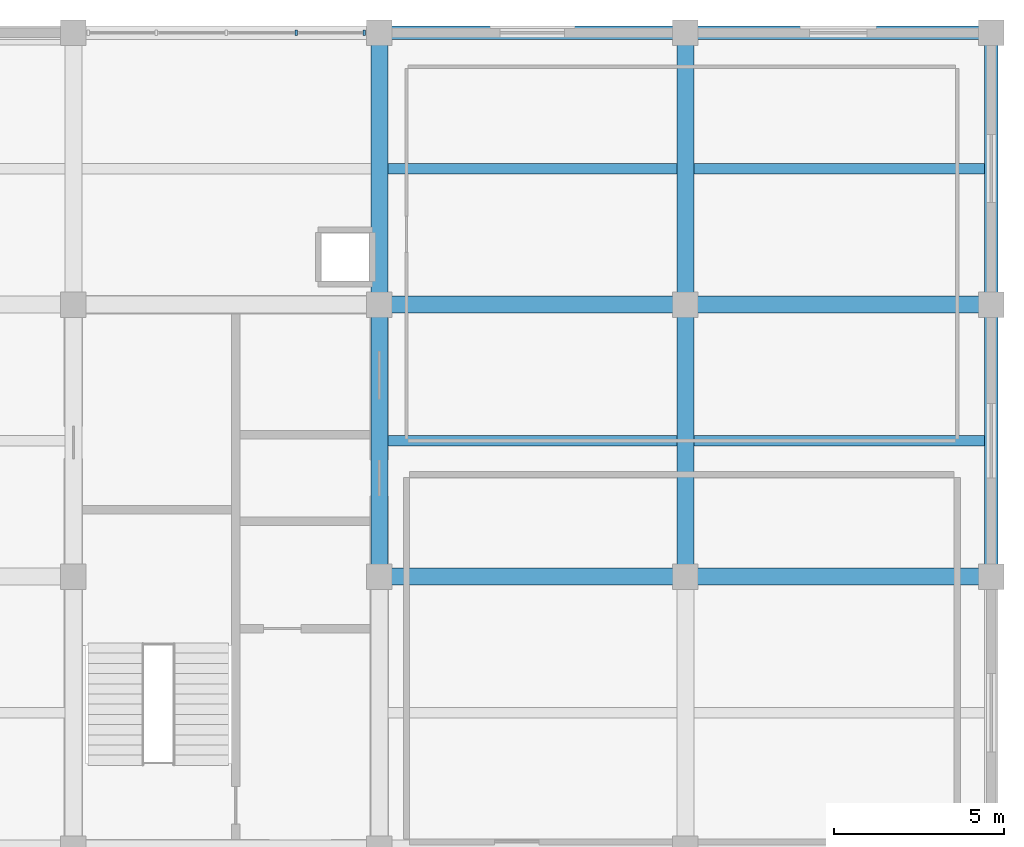
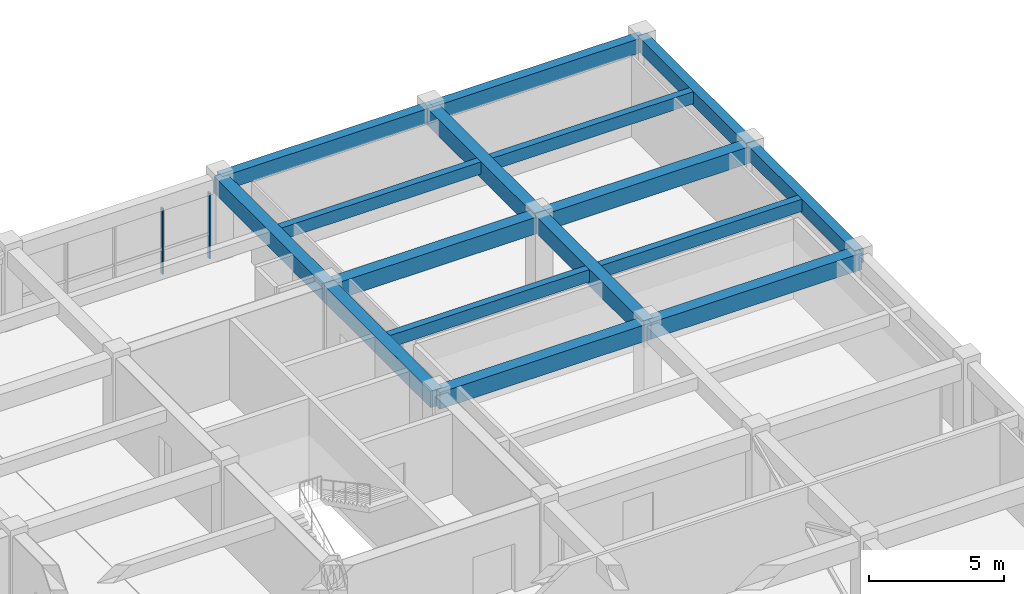
# One storey, part 9 of 15: 16 beams, 2 members, 1 element without a shape of its own.
"""IFC4 building model written with IfcOpenShell, lengths in metres."""

from ifc_helpers import new_model, si_unit, direction, frame, origin, origin_2d, place, context, subcontext, project, spatial, rectangle, extrude, material, material_profile, profile_set, type_object, element, aggregate, save


model = new_model("IFC4")

# Units and contexts
model_context = context("Model", 3, precision=1e-05, world=origin(), true_north=direction((0.0, 1.0)))
body_context = subcontext(model_context, "Body", "Model", "MODEL_VIEW")
ifc_project = project(units=[si_unit("LENGTHUNIT", "METRE"), si_unit("AREAUNIT", "SQUARE_METRE"), si_unit("VOLUMEUNIT", "CUBIC_METRE"), si_unit("PLANEANGLEUNIT", "RADIAN"), si_unit("MASSUNIT", "GRAM", prefix="KILO")], contexts=[model_context])

# Site, building, storey
site_placement = place(None, origin())
site = spatial("IfcSite", under=ifc_project, at=site_placement, CompositionType="ELEMENT")
building_placement = place(site_placement, origin())
building = spatial("IfcBuilding", under=site, at=building_placement, Name="Zaverband Oceanarium and Marine Research Institute", CompositionType="ELEMENT")
storey_placement = place(building_placement, frame((0.0, 0.0, 49.199951171875)))
storey = spatial("IfcBuildingStorey", under=building, at=storey_placement, Name="L12", CompositionType="ELEMENT", Elevation=49.199951171875)

# Beams
ifc_material_1 = material(Name="Concrete C40/50", Category="concrete")
ifc_material_profile_1 = material_profile(ifc_material_1, rectangle(XDim=0.5, YDim=0.75, at=origin_2d()), Name="RC500x750")
ifc_profile_set_1 = profile_set([ifc_material_profile_1], Name="Concrete C40/50")
beam_type_1 = type_object("IfcBeamType", Name="BM-500x750", PredefinedType="BEAM", material=ifc_profile_set_1)
for number, where, z_axis, x_axis, name in (
    (1, (45.0, 96.0, 3.2451171875), (1.0, 0.0, 0.0), (0.0, 1.0, 0.0), "Primary floor girder BM-500x750"),
    (2, (54.0, 96.0, 3.2451171875), (1.0, 0.0, 0.0), (0.0, 1.0, 0.0), "Primary floor girder BM-500x750"),
    (3, (45.0, 104.0, 3.2451171875), (1.0, 0.0, 0.0), (0.0, 1.0, 0.0), "Primary floor girder BM-500x750"),
    (4, (54.0, 104.0, 3.2451171875), (1.0, 0.0, 0.0), (0.0, 1.0, 0.0), "Primary floor girder BM-500x750"),
):
    element("IfcBeam", number, at=place(storey_placement, frame(where, z_axis=z_axis, x_axis=x_axis)), inside=storey, type_object=beam_type_1, Name=name, PredefinedType="BEAM", context=body_context, shape_type="SweptSolid", body=[
        extrude(rectangle(XDim=0.5, YDim=0.75, at=origin_2d()), origin(), (0.0, 0.0, 1.0), 9.0),
    ])
for number, where, z_axis, x_axis, name in (
    (5, (45.0, 96.0, 3.2451171875), (0.0, 1.0, 0.0), (-1.0, 0.0, 0.0), "Primary floor girder BM-500x750"),
    (6, (45.0, 104.0, 3.2451171875), (0.0, 1.0, 0.0), (-1.0, 0.0, 0.0), "Primary floor girder BM-500x750"),
    (7, (54.0, 96.0, 3.2451171875), (0.0, 1.0, 0.0), (-1.0, 0.0, 0.0), "Primary floor girder BM-500x750"),
    (8, (54.0, 104.0, 3.2451171875), (0.0, 1.0, 0.0), (-1.0, 0.0, 0.0), "Primary floor girder BM-500x750"),
):
    element("IfcBeam", number, at=place(storey_placement, frame(where, z_axis=z_axis, x_axis=x_axis)), inside=storey, type_object=beam_type_1, Name=name, PredefinedType="BEAM", context=body_context, shape_type="SweptSolid", body=[
        extrude(rectangle(XDim=0.5, YDim=0.75, at=origin_2d()), origin(), (0.0, 0.0, 1.0), 8.0),
    ])
ifc_material_profile_2 = material_profile(ifc_material_1, rectangle(XDim=0.300048828125, YDim=0.550048828125, at=origin_2d()), Name="RC300x550")
ifc_profile_set_2 = profile_set([ifc_material_profile_2], Name="Concrete C40/50")
beam_type_2 = type_object("IfcBeamType", Name="JST-300x550", PredefinedType="JOIST", material=ifc_profile_set_2)
for number, where, z_axis, x_axis, name in (
    (9, (45.25, 100.0, 3.344970703125), (1.0, 0.0, 0.0), (0.0, 1.0, 0.0), "Secondary floor joist JST-300x550"),
    (10, (45.25, 108.0, 3.344970703125), (1.0, 0.0, 0.0), (0.0, 1.0, 0.0), "Secondary floor joist JST-300x550"),
):
    element("IfcBeam", number, at=place(storey_placement, frame(where, z_axis=z_axis, x_axis=x_axis)), inside=storey, type_object=beam_type_2, Name=name, PredefinedType="JOIST", context=body_context, shape_type="SweptSolid", body=[
        extrude(rectangle(XDim=0.300048828125, YDim=0.550048828125, at=origin_2d()), origin(), (0.0, 0.0, 1.0), 8.5),
    ])
for number, where, z_axis, x_axis, name in (
    (11, (54.25, 100.0, 3.344970703125), (1.0, 0.0, 0.0), (0.0, 1.0, 0.0), "Secondary floor joist JST-300x550"),
    (12, (54.25, 108.0, 3.344970703125), (1.0, 0.0, 0.0), (0.0, 1.0, 0.0), "Secondary floor joist JST-300x550"),
):
    element("IfcBeam", number, at=place(storey_placement, frame(where, z_axis=z_axis, x_axis=x_axis)), inside=storey, type_object=beam_type_2, Name=name, PredefinedType="JOIST", context=body_context, shape_type="SweptSolid", body=[
        extrude(rectangle(XDim=0.300048828125, YDim=0.550048828125, at=origin_2d()), origin(), (0.0, 0.0, 1.0), 8.550048828125),
    ])

# Curtain wall, members
ifc_material_2 = material(Name="Thermally broken anodized aluminium and solar-control glass", Category="aluminium")
curtain_wall_type = type_object("IfcCurtainWallType", Name="CW-UNIT-1800", PredefinedType="NOTDEFINED", material=ifc_material_2)
curtain_wall_placement = place(storey_placement, origin())
curtain_wall = element("IfcCurtainWall", 13, at=curtain_wall_placement, inside=storey, type_object=curtain_wall_type, Name="Unitised glazed curtain wall CW-135", PredefinedType="NOTDEFINED")
ifc_material_3 = material(Name="Thermally broken anodized aluminium", Category="aluminium")
ifc_material_profile_3 = material_profile(ifc_material_3, rectangle(XDim=0.070068359375, YDim=0.14990234375, at=origin_2d()), Name="AL-MUL-70x150")
ifc_profile_set_3 = profile_set([ifc_material_profile_3], Name="Thermally broken anodized aluminium")
member_type = type_object("IfcMemberType", Name="MUL-70x150", PredefinedType="MULLION", material=ifc_profile_set_3)
member_1_placement = place(storey_placement, frame((42.56005859375, 112.0, 0.0), z_axis=(0.0, 0.0, 1.0), x_axis=(1.0, 0.0, 0.0)))
member_1 = element("IfcMember", 14, at=member_1_placement, type_object=member_type, Name="Curtain wall vertical mullion MUL-70x150", PredefinedType="MULLION", context=body_context, shape_type="SweptSolid", body=[
    extrude(rectangle(XDim=0.070068359375, YDim=0.14990234375, at=origin_2d()), origin(), (0.0, 0.0, 1.0), 2.949951171875),
])
member_2_placement = place(storey_placement, frame((44.56005859375, 112.0, 0.0), z_axis=(0.0, 0.0, 1.0), x_axis=(1.0, 0.0, 0.0)))
member_2 = element("IfcMember", 15, at=member_2_placement, type_object=member_type, Name="Curtain wall vertical mullion MUL-70x150", PredefinedType="MULLION", context=body_context, shape_type="SweptSolid", body=[
    extrude(rectangle(XDim=0.070068359375, YDim=0.14990234375, at=origin_2d()), origin(), (0.0, 0.0, 1.0), 2.949951171875),
])
aggregate(curtain_wall, [member_1, member_2])

# Beams
ifc_material_profile_4 = material_profile(ifc_material_1, rectangle(XDim=0.39990234375, YDim=0.64990234375, at=origin_2d()), Name="RC400x650")
ifc_profile_set_4 = profile_set([ifc_material_profile_4], Name="Concrete C40/50")
beam_type_3 = type_object("IfcBeamType", Name="SPN-400x650", PredefinedType="SPANDREL", material=ifc_profile_set_4)
for number, where, z_axis, x_axis, name in (
    (16, (45.0, 112.0, 3.295166015625), (1.0, 0.0, 0.0), (0.0, 1.0, 0.0), "Perimeter spandrel beam SPN-400x650"),
    (17, (54.0, 112.0, 3.295166015625), (1.0, 0.0, 0.0), (0.0, 1.0, 0.0), "Perimeter spandrel beam SPN-400x650"),
):
    element("IfcBeam", number, at=place(storey_placement, frame(where, z_axis=z_axis, x_axis=x_axis)), inside=storey, type_object=beam_type_3, Name=name, PredefinedType="SPANDREL", context=body_context, shape_type="SweptSolid", body=[
        extrude(rectangle(XDim=0.39990234375, YDim=0.64990234375, at=origin_2d()), origin(), (0.0, 0.0, 1.0), 9.0),
    ])
for number, where, z_axis, x_axis, name in (
    (18, (63.0, 96.0, 3.295166015625), (0.0, 1.0, 0.0), (-1.0, 0.0, 0.0), "Perimeter spandrel beam SPN-400x650"),
    (19, (63.0, 104.0, 3.295166015625), (0.0, 1.0, 0.0), (-1.0, 0.0, 0.0), "Perimeter spandrel beam SPN-400x650"),
):
    element("IfcBeam", number, at=place(storey_placement, frame(where, z_axis=z_axis, x_axis=x_axis)), inside=storey, type_object=beam_type_3, Name=name, PredefinedType="SPANDREL", context=body_context, shape_type="SweptSolid", body=[
        extrude(rectangle(XDim=0.39990234375, YDim=0.64990234375, at=origin_2d()), origin(), (0.0, 0.0, 1.0), 8.0),
    ])

save(model, "model.ifc")
